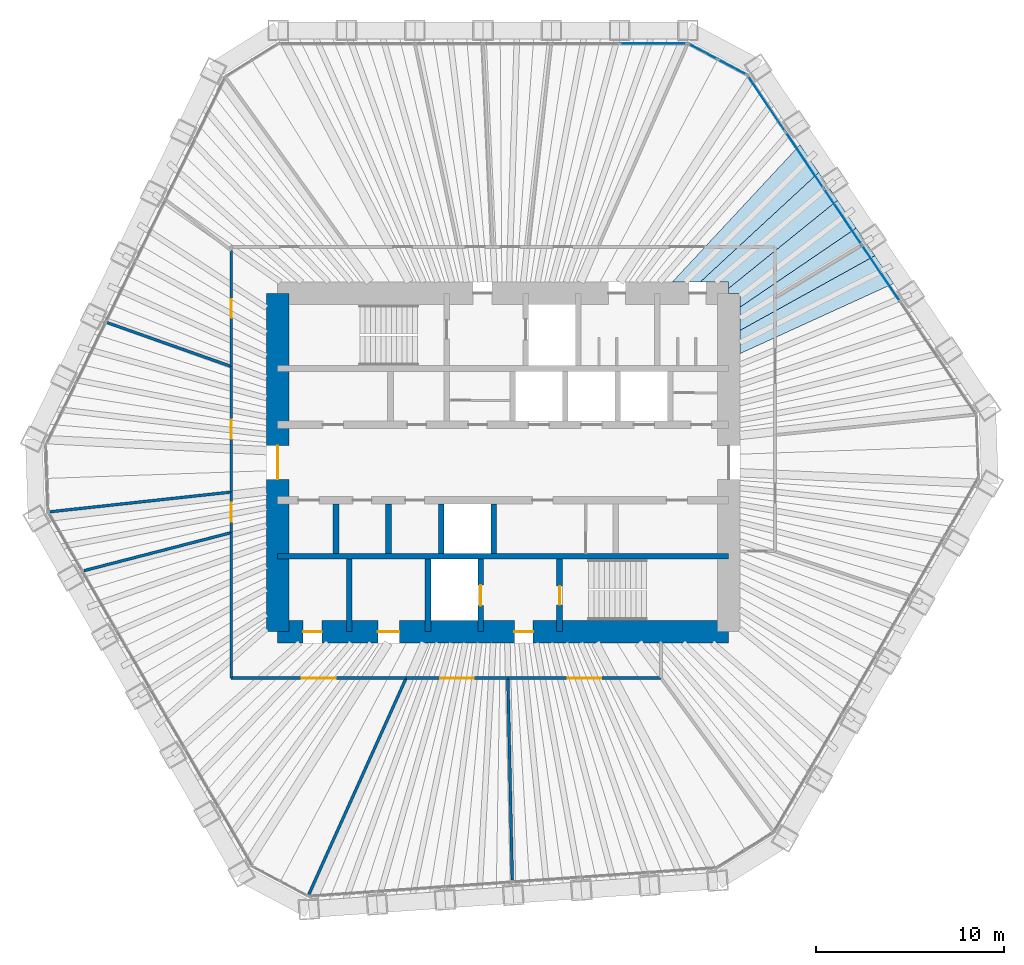
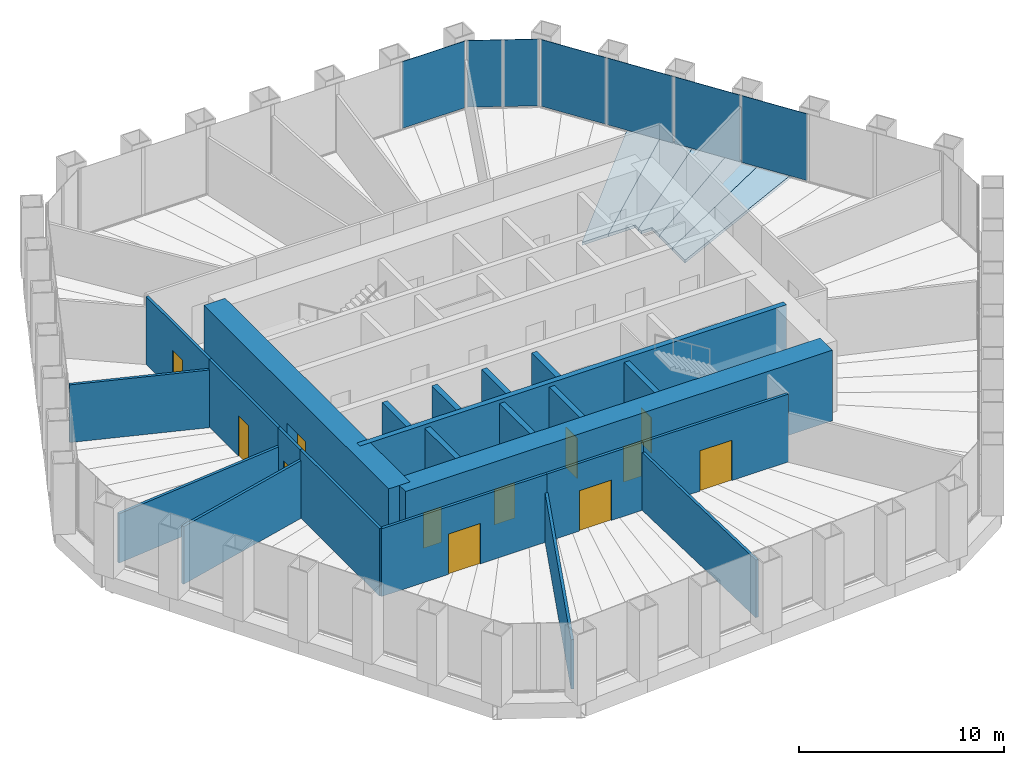
# One storey, part 10 of 14: 23 walls, 12 doors, 7 plates, 5 slabs, 12 openings, 3 elements without a shape of their own.
"""IFC4 building model written with IfcOpenShell, lengths in metres."""

from ifc_helpers import new_model, si_unit, direction, frame, frame_2d, origin, origin_2d, place, context, subcontext, project, spatial, polyline, rectangle, outline, extrude, material, layer, layer_set, type_object, element, fill, aggregate, save


model = new_model("IFC4")

# Units and contexts
model_context = context("Model", 3, precision=1e-05, world=origin(), true_north=direction((0.0, 1.0)))
body_context = subcontext(model_context, "Body", "Model", "MODEL_VIEW")
ifc_project = project(units=[si_unit("LENGTHUNIT", "METRE"), si_unit("AREAUNIT", "SQUARE_METRE"), si_unit("VOLUMEUNIT", "CUBIC_METRE"), si_unit("PLANEANGLEUNIT", "RADIAN"), si_unit("MASSUNIT", "GRAM", prefix="KILO")], contexts=[model_context])

# Site, building, storey
site_placement = place(None, origin())
site = spatial("IfcSite", under=ifc_project, at=site_placement, CompositionType="ELEMENT")
building_placement = place(site_placement, origin())
building = spatial("IfcBuilding", under=site, at=building_placement, Name="Qingtian Harvest Tower", CompositionType="ELEMENT")
storey_placement = place(building_placement, frame((0.0, 0.0, 201.39990234375)))
storey = spatial("IfcBuildingStorey", under=building, at=storey_placement, Name="L43", CompositionType="ELEMENT", Elevation=201.39990234375)

# Slabs
ifc_material_1 = material(Name="Concrete fc' 35 MPa", Category="concrete")
ifc_layer_1 = layer(ifc_material_1, 0.169921875)
ifc_layer_set_1 = layer_set([ifc_layer_1], Name="Composite floor slab FS17 170")
slab_type = type_object("IfcSlabType", Name="Composite floor slab FS17 170", PredefinedType="FLOOR", material=ifc_layer_set_1)
slab_1_placement = place(storey_placement, frame((0.0, 0.0, -0.169921875)))
element("IfcSlab", 1, at=slab_1_placement, inside=storey, type_object=slab_type, Name="Floor slab L43 panel D45", PredefinedType="FLOOR", context=body_context, shape_type="SweptSolid", body=[
    extrude(outline(polyline([(12.60009765625, 7.023681640625), (19.7841796875, 11.003662109375), (20.780517578125, 9.526611328125), (12.60009765625, 5.7900390625), (12.60009765625, 7.023681640625)])), origin(), (0.0, 0.0, 1.0), 0.169921875),
])
slab_2_placement = place(storey_placement, frame((0.0, 0.0, -0.169921875)))
element("IfcSlab", 2, at=slab_2_placement, inside=storey, type_object=slab_type, Name="Floor slab L43 panel D46", PredefinedType="FLOOR", context=body_context, shape_type="SweptSolid", body=[
    extrude(outline(polyline([(12.60009765625, 8.260498046875), (18.791259765625, 12.475830078125), (19.7841796875, 11.003662109375), (12.60009765625, 7.023681640625), (12.60009765625, 8.260498046875)])), origin(), (0.0, 0.0, 1.0), 0.169921875),
])
slab_3_placement = place(storey_placement, frame((0.0, 0.0, -0.169921875)))
element("IfcSlab", 3, at=slab_3_placement, inside=storey, type_object=slab_type, Name="Floor slab L43 panel D47", PredefinedType="FLOOR", context=body_context, shape_type="SweptSolid", body=[
    extrude(outline(polyline([(12.60009765625, 9.0), (12.0, 9.0), (12.0, 9.2666015625), (17.795654296875, 13.95166015625), (18.791259765625, 12.475830078125), (12.60009765625, 8.260498046875), (12.60009765625, 9.0)])), origin(), (0.0, 0.0, 1.0), 0.169921875),
])
slab_4_placement = place(storey_placement, frame((0.0, 0.0, -0.169921875)))
element("IfcSlab", 4, at=slab_4_placement, inside=storey, type_object=slab_type, Name="Floor slab L43 panel D48", PredefinedType="FLOOR", context=body_context, shape_type="SweptSolid", body=[
    extrude(outline(polyline([(12.0, 9.60009765625), (10.48583984375, 9.60009765625), (16.79638671875, 15.43310546875), (17.795654296875, 13.95166015625), (12.0, 9.2666015625), (12.0, 9.60009765625)])), origin(), (0.0, 0.0, 1.0), 0.169921875),
])
slab_5_placement = place(storey_placement, frame((0.0, 0.0, -0.169921875)))
element("IfcSlab", 5, at=slab_5_placement, inside=storey, type_object=slab_type, Name="Floor slab L43 panel D49", PredefinedType="FLOOR", context=body_context, shape_type="SweptSolid", body=[
    extrude(outline(polyline([(8.998291015625, 9.60009765625), (15.800048828125, 16.910400390625), (16.79638671875, 15.43310546875), (10.48583984375, 9.60009765625), (8.998291015625, 9.60009765625)])), origin(), (0.0, 0.0, 1.0), 0.169921875),
])

# Curtain wall, plate
ifc_material_2 = material(Name="Bronze-anodised aluminium curtain wall", Category="aluminium")
curtain_wall_type = type_object("IfcCurtainWallType", Name="Curtain wall CW4 office", PredefinedType="USERDEFINED", material=ifc_material_2)
curtain_wall_1_placement = place(storey_placement, origin())
curtain_wall_1 = element("IfcCurtainWall", 6, at=curtain_wall_1_placement, inside=storey, type_object=curtain_wall_type, Name="Curtain wall CW4 L43 N0-5", ObjectType="RECESSED CURTAIN WALL", PredefinedType="USERDEFINED")
ifc_material_3 = material(Name="Bronze-tinted laminated insulating glass", Category="glass")
ifc_layer_2 = layer(ifc_material_3, 0.030029296875)
ifc_layer_set_2 = layer_set([ifc_layer_2], Name="Glazed panel CWP tinted IGU")
plate_type = type_object("IfcPlateType", Name="Glazed panel CWP tinted IGU", PredefinedType="CURTAIN_PANEL", material=ifc_layer_set_2)
plate_1_placement = place(storey_placement, frame((7.996337890625, 22.300048828125, 0.06494140625), z_axis=(0.0, 0.0, 1.0), x_axis=(1.0, 0.0, 0.0)))
plate_1 = element("IfcPlate", 7, at=plate_1_placement, type_object=plate_type, Name="CW4 panel 6.1", PredefinedType="CURTAIN_PANEL", context=body_context, shape_type="SweptSolid", body=[
    extrude(rectangle(XDim=3.5361328125, YDim=0.030029296875, at=origin_2d()), origin(), (0.0, 0.0, 1.0), 3.965087890625),
])
aggregate(curtain_wall_1, [plate_1])

# Curtain wall, plates
curtain_wall_2_placement = place(storey_placement, origin())
curtain_wall_2 = element("IfcCurtainWall", 8, at=curtain_wall_2_placement, inside=storey, type_object=curtain_wall_type, Name="Curtain wall CW4 L43 NC", ObjectType="RECESSED CURTAIN WALL", PredefinedType="USERDEFINED")
plate_2_placement = place(storey_placement, frame((10.634033203125, 21.8720703125, 0.06494140625), z_axis=(0.0, 0.0, 1.0), x_axis=(0.882947592859, -0.469471562786, 0.0)))
plate_2 = element("IfcPlate", 9, at=plate_2_placement, type_object=plate_type, Name="CW4 panel 1.1", PredefinedType="CURTAIN_PANEL", context=body_context, shape_type="SweptSolid", body=[
    extrude(rectangle(XDim=1.69287109375, YDim=0.030029296875, at=origin_2d()), origin(), (0.0, 0.0, 1.0), 3.965087890625),
])
plate_3_placement = place(storey_placement, frame((12.186279296875, 21.046875, 0.06494140625), z_axis=(0.0, 0.0, 1.0), x_axis=(0.882947592859, -0.469471562786, 0.0)))
plate_3 = element("IfcPlate", 10, at=plate_3_placement, type_object=plate_type, Name="CW4 panel 2.1", PredefinedType="CURTAIN_PANEL", context=body_context, shape_type="SweptSolid", body=[
    extrude(rectangle(XDim=1.69287109375, YDim=0.030029296875, at=origin_2d()), origin(), (0.0, 0.0, 1.0), 3.965087890625),
])
aggregate(curtain_wall_2, [plate_2, plate_3])

curtain_wall_3_placement = place(storey_placement, origin())
curtain_wall_3 = element("IfcCurtainWall", 11, at=curtain_wall_3_placement, inside=storey, type_object=curtain_wall_type, Name="Curtain wall CW4 L43 NE0-5", ObjectType="RECESSED CURTAIN WALL", PredefinedType="USERDEFINED")
plate_4_placement = place(storey_placement, frame((14.01611328125, 19.09912109375, 0.06494140625), z_axis=(0.0, 0.0, 1.0), x_axis=(0.559192903471, -0.829037572555, 0.0)))
plate_4 = element("IfcPlate", 12, at=plate_4_placement, type_object=plate_type, Name="CW4 panel 1.1", PredefinedType="CURTAIN_PANEL", context=body_context, shape_type="SweptSolid", body=[
    extrude(rectangle(XDim=3.5361328125, YDim=0.030029296875, at=origin_2d()), origin(), (0.0, 0.0, 1.0), 3.965087890625),
])
plate_5_placement = place(storey_placement, frame((16.038818359375, 16.100341796875, 0.06494140625), z_axis=(0.0, 0.0, 1.0), x_axis=(0.559192903471, -0.829037572555, 0.0)))
plate_5 = element("IfcPlate", 13, at=plate_5_placement, type_object=plate_type, Name="CW4 panel 2.1", PredefinedType="CURTAIN_PANEL", context=body_context, shape_type="SweptSolid", body=[
    extrude(rectangle(XDim=3.568603515625, YDim=0.030029296875, at=origin_2d()), origin(), (0.0, 0.0, 1.0), 3.965087890625),
])
plate_6_placement = place(storey_placement, frame((18.07080078125, 13.087890625, 0.06494140625), z_axis=(0.0, 0.0, 1.0), x_axis=(0.559192903471, -0.829037572555, 0.0)))
plate_6 = element("IfcPlate", 14, at=plate_6_placement, type_object=plate_type, Name="CW4 panel 3.1", PredefinedType="CURTAIN_PANEL", context=body_context, shape_type="SweptSolid", body=[
    extrude(rectangle(XDim=3.568603515625, YDim=0.030029296875, at=origin_2d()), origin(), (0.0, 0.0, 1.0), 3.965087890625),
])
plate_7_placement = place(storey_placement, frame((20.1025390625, 10.07568359375, 0.06494140625), z_axis=(0.0, 0.0, 1.0), x_axis=(0.559192903471, -0.829037572555, 0.0)))
plate_7 = element("IfcPlate", 15, at=plate_7_placement, type_object=plate_type, Name="CW4 panel 4.1", PredefinedType="CURTAIN_PANEL", context=body_context, shape_type="SweptSolid", body=[
    extrude(rectangle(XDim=3.568603515625, YDim=0.030029296875, at=origin_2d()), origin(), (0.0, 0.0, 1.0), 3.965087890625),
])
aggregate(curtain_wall_3, [plate_4, plate_5, plate_6, plate_7])

# Walls
ifc_material_4 = material(Name="Concrete fc' 70 MPa", Category="concrete")
ifc_layer_3 = layer(ifc_material_4, 0.300048828125)
ifc_layer_set_3 = layer_set([ifc_layer_3], Name="Core inner wall RC5 300")
wall_type_1 = type_object("IfcWallType", Name="Core inner wall RC5 300", PredefinedType="SHEAR", material=ifc_layer_set_3)
wall_1_placement = place(storey_placement, frame((-12.0, -5.0, 0.0), z_axis=(0.0, 0.0, 1.0), x_axis=(1.0, 0.0, 0.0)))
element("IfcWall", 16, at=wall_1_placement, inside=storey, type_object=wall_type_1, Name="Core wall IS5 L43", PredefinedType="SHEAR", context=body_context, shape_type="SweptSolid", body=[
    extrude(rectangle(XDim=24.0, YDim=0.300048828125, at=frame_2d((12.0, 0.0))), origin(), (0.0, 0.0, 1.0), 4.2001953125),
])
ifc_material_5 = material(Name="Precast concrete shaft panel", Category="concrete")
ifc_layer_4 = layer(ifc_material_5, 0.300048828125)
ifc_layer_set_4 = layer_set([ifc_layer_4], Name="Core shaft partition SW1 300")
wall_type_2 = type_object("IfcWallType", Name="Core shaft partition SW1 300", PredefinedType="PARTITIONING", material=ifc_layer_set_4)
for number, where, z_axis, x_axis, name in (
    (17, (-8.89990234375, -4.85009765625, 0.0), (0.0, 0.0, 1.0), (0.0, 1.0, 0.0), "Core shaft partition XB1 L43"),
    (18, (-6.10009765625, -4.85009765625, 0.0), (0.0, 0.0, 1.0), (0.0, 1.0, 0.0), "Core shaft partition XB2 L43"),
    (19, (-3.300048828125, -4.85009765625, 0.0), (0.0, 0.0, 1.0), (0.0, 1.0, 0.0), "Core shaft partition XB3 L43"),
    (20, (-0.5, -4.85009765625, 0.0), (0.0, 0.0, 1.0), (0.0, 1.0, 0.0), "Core shaft partition XB4 L43"),
):
    element("IfcWall", number, at=place(storey_placement, frame(where, z_axis=z_axis, x_axis=x_axis)), inside=storey, type_object=wall_type_2, Name=name, PredefinedType="PARTITIONING", context=body_context, shape_type="SweptSolid", body=[
        extrude(rectangle(XDim=2.650146484375, YDim=0.300048828125, at=frame_2d((1.3251953125, 0.0))), origin(), (0.0, 0.0, 1.0), 3.97998046875),
    ])
for number, where, z_axis, x_axis, name in (
    (21, (-8.199951171875, -9.0, 0.0), (0.0, 0.0, 1.0), (0.0, 1.0, 0.0), "Core shaft partition XS1 L43"),
    (22, (-4.0, -9.0, 0.0), (0.0, 0.0, 1.0), (0.0, 1.0, 0.0), "Core shaft partition XS2 L43"),
):
    element("IfcWall", number, at=place(storey_placement, frame(where, z_axis=z_axis, x_axis=x_axis)), inside=storey, type_object=wall_type_2, Name=name, PredefinedType="PARTITIONING", context=body_context, shape_type="SweptSolid", body=[
        extrude(rectangle(XDim=3.85009765625, YDim=0.300048828125, at=frame_2d((1.925048828125, 0.0))), origin(), (0.0, 0.0, 1.0), 3.97998046875),
    ])

# Wall, opening, door
wall_2_placement = place(storey_placement, frame((-1.199951171875, -9.0, 0.0), z_axis=(0.0, 0.0, 1.0), x_axis=(0.0, 1.0, 0.0)))
wall_2 = element("IfcWall", 23, at=wall_2_placement, inside=storey, type_object=wall_type_2, Name="Core shaft partition XS3 L43", PredefinedType="PARTITIONING", context=body_context, shape_type="SweptSolid", body=[
    extrude(rectangle(XDim=3.85009765625, YDim=0.300048828125, at=frame_2d((1.925048828125, 0.0))), origin(), (0.0, 0.0, 1.0), 3.97998046875),
])
opening_1_placement = place(wall_2_placement, frame((1.375, 0.0, 0.0)))
opening_1 = element("IfcOpeningElement", 24, at=opening_1_placement, cuts=wall_2, Name="Opening LD1", PredefinedType="OPENING", context=body_context, shape_type="SweptSolid", body=[
    extrude(rectangle(XDim=1.10009765625, YDim=2.39990234375, at=frame_2d((0.550048828125, 1.199951171875))), frame((0.0, 0.159912109375, 0.0), z_axis=(0.0, -1.0, 0.0), x_axis=(1.0, 0.0, 0.0)), (0.0, 0.0, 1.0), 0.320068359375),
])
ifc_material_6 = material(Name="Stainless steel lift landing door", Category="steel")
door_type_1 = type_object("IfcDoorType", Name="Lift landing door LD1 1 HR", OperationType="DOUBLE_DOOR_SLIDING", PredefinedType="DOOR", material=ifc_material_6)
door_1_placement = place(opening_1_placement, origin())
door_1 = element("IfcDoor", 25, at=door_1_placement, inside=storey, type_object=door_type_1, Name="FL2 landing door L43", OperationType="DOUBLE_DOOR_SLIDING", OverallHeight=2.39990234375, OverallWidth=1.10009765625, PredefinedType="DOOR", context=body_context, shape_type="SweptSolid", body=[
    extrude(rectangle(XDim=1.10009765625, YDim=2.39990234375, at=frame_2d((0.550048828125, 1.199951171875))), frame((0.0, 0.02490234375, 0.0), z_axis=(0.0, -1.0, 0.0), x_axis=(1.0, 0.0, 0.0)), (0.0, 0.0, 1.0), 0.050048828125),
])
fill(opening_1, door_1)

wall_3_placement = place(storey_placement, frame((3.0, -9.0, 0.0), z_axis=(0.0, 0.0, 1.0), x_axis=(0.0, 1.0, 0.0)))
wall_3 = element("IfcWall", 26, at=wall_3_placement, inside=storey, type_object=wall_type_2, Name="Core shaft partition XS4 L43", PredefinedType="PARTITIONING", context=body_context, shape_type="SweptSolid", body=[
    extrude(rectangle(XDim=3.85009765625, YDim=0.300048828125, at=frame_2d((1.925048828125, 0.0))), origin(), (0.0, 0.0, 1.0), 3.97998046875),
])
opening_2_placement = place(wall_3_placement, frame((1.425048828125, 0.0, 0.0)))
opening_2 = element("IfcOpeningElement", 27, at=opening_2_placement, cuts=wall_3, Name="Opening FD1", PredefinedType="OPENING", context=body_context, shape_type="SweptSolid", body=[
    extrude(rectangle(XDim=1.0, YDim=2.10009765625, at=frame_2d((0.5, 1.050048828125))), frame((0.0, 0.159912109375, 0.0), z_axis=(0.0, -1.0, 0.0), x_axis=(1.0, 0.0, 0.0)), (0.0, 0.0, 1.0), 0.320068359375),
])
ifc_material_7 = material(Name="Steel-faced door leaf", Category="steel")
door_type_2 = type_object("IfcDoorType", Name="Fire door FD1 single 1 HR", OperationType="SINGLE_SWING_LEFT", PredefinedType="DOOR", material=ifc_material_7)
door_2_placement = place(opening_2_placement, origin())
door_2 = element("IfcDoor", 28, at=door_2_placement, inside=storey, type_object=door_type_2, Name="S2 door L43", OperationType="SINGLE_SWING_LEFT", OverallHeight=2.10009765625, OverallWidth=1.0, PredefinedType="DOOR", context=body_context, shape_type="SweptSolid", body=[
    extrude(rectangle(XDim=1.0, YDim=2.10009765625, at=frame_2d((0.5, 1.050048828125))), frame((0.0, 0.02490234375, 0.0), z_axis=(0.0, -1.0, 0.0), x_axis=(1.0, 0.0, 0.0)), (0.0, 0.0, 1.0), 0.050048828125),
])
fill(opening_2, door_2)

# Wall, openings, doors
ifc_material_8 = material(Name="Concrete fc' 70 MPa", Category="concrete")
ifc_layer_5 = layer(ifc_material_8, 1.199951171875)
ifc_layer_set_5 = layer_set([ifc_layer_5], Name="Core wall RC2 1200")
wall_type_3 = type_object("IfcWallType", Name="Core wall RC2 1200", PredefinedType="SHEAR", material=ifc_layer_set_5)
wall_4_placement = place(storey_placement, frame((-12.0, -9.0, 0.0), z_axis=(0.0, 0.0, 1.0), x_axis=(1.0, 0.0, 0.0)))
wall_4 = element("IfcWall", 29, at=wall_4_placement, inside=storey, type_object=wall_type_3, Name="Core wall CS L43", PredefinedType="SHEAR", context=body_context, shape_type="SweptSolid", body=[
    extrude(rectangle(XDim=24.0, YDim=1.199951171875, at=frame_2d((12.0, 0.0))), origin(), (0.0, 0.0, 1.0), 4.2001953125),
])
opening_3_placement = place(wall_4_placement, frame((1.35009765625, 0.0, 0.0)))
opening_3 = element("IfcOpeningElement", 30, at=opening_3_placement, cuts=wall_4, Name="Opening FD1", PredefinedType="OPENING", context=body_context, shape_type="SweptSolid", body=[
    extrude(rectangle(XDim=1.0, YDim=2.10009765625, at=frame_2d((0.5, 1.050048828125))), frame((0.0, 0.60986328125, 0.0), z_axis=(0.0, -1.0, 0.0), x_axis=(1.0, 0.0, 0.0)), (0.0, 0.0, 1.0), 1.219970703125),
])
opening_4_placement = place(wall_4_placement, frame((5.324951171875, 0.0, 0.0)))
opening_4 = element("IfcOpeningElement", 31, at=opening_4_placement, cuts=wall_4, Name="Opening AD1", PredefinedType="OPENING", context=body_context, shape_type="SweptSolid", body=[
    extrude(rectangle(XDim=1.14990234375, YDim=2.10009765625, at=frame_2d((0.574951171875, 1.050048828125))), frame((0.0, 0.60986328125, 0.0), z_axis=(0.0, -1.0, 0.0), x_axis=(1.0, 0.0, 0.0)), (0.0, 0.0, 1.0), 1.219970703125),
])
opening_5_placement = place(wall_4_placement, frame((12.60009765625, 0.0, 0.0)))
opening_5 = element("IfcOpeningElement", 32, at=opening_5_placement, cuts=wall_4, Name="Opening FD1", PredefinedType="OPENING", context=body_context, shape_type="SweptSolid", body=[
    extrude(rectangle(XDim=1.0, YDim=2.10009765625, at=frame_2d((0.5, 1.050048828125))), frame((0.0, 0.60986328125, 0.0), z_axis=(0.0, -1.0, 0.0), x_axis=(1.0, 0.0, 0.0)), (0.0, 0.0, 1.0), 1.219970703125),
])
ifc_material_9 = material(Name="Laminated timber door leaf", Category="wood")
door_type_3 = type_object("IfcDoorType", Name="Accessible WC door AD1 single", OperationType="SINGLE_SWING_LEFT", PredefinedType="DOOR", material=ifc_material_9)
door_3_placement = place(opening_4_placement, origin())
door_3 = element("IfcDoor", 33, at=door_3_placement, inside=storey, type_object=door_type_3, Name="AWC door L43", OperationType="SINGLE_SWING_LEFT", OverallHeight=2.10009765625, OverallWidth=1.14990234375, PredefinedType="DOOR", context=body_context, shape_type="SweptSolid", body=[
    extrude(rectangle(XDim=1.14990234375, YDim=2.10009765625, at=frame_2d((0.574951171875, 1.050048828125))), frame((0.0, 0.02490234375, 0.0), z_axis=(0.0, -1.0, 0.0), x_axis=(1.0, 0.0, 0.0)), (0.0, 0.0, 1.0), 0.050048828125),
])
fill(opening_4, door_3)
door_4_placement = place(opening_3_placement, origin())
door_4 = element("IfcDoor", 34, at=door_4_placement, inside=storey, type_object=door_type_2, Name="CLN door L43", OperationType="SINGLE_SWING_LEFT", OverallHeight=2.10009765625, OverallWidth=1.0, PredefinedType="DOOR", context=body_context, shape_type="SweptSolid", body=[
    extrude(rectangle(XDim=1.0, YDim=2.10009765625, at=frame_2d((0.5, 1.050048828125))), frame((0.0, 0.02490234375, 0.0), z_axis=(0.0, -1.0, 0.0), x_axis=(1.0, 0.0, 0.0)), (0.0, 0.0, 1.0), 0.050048828125),
])
fill(opening_3, door_4)
door_5_placement = place(opening_5_placement, origin())
door_5 = element("IfcDoor", 35, at=door_5_placement, inside=storey, type_object=door_type_2, Name="V2 door L43", OperationType="SINGLE_SWING_RIGHT", OverallHeight=2.10009765625, OverallWidth=1.0, PredefinedType="DOOR", context=body_context, shape_type="SweptSolid", body=[
    extrude(rectangle(XDim=1.0, YDim=2.10009765625, at=frame_2d((0.5, 1.050048828125))), frame((0.0, 0.02490234375, 0.0), z_axis=(0.0, -1.0, 0.0), x_axis=(1.0, 0.0, 0.0)), (0.0, 0.0, 1.0), 0.050048828125),
])
fill(opening_5, door_5)

# Wall, opening, door
wall_5_placement = place(storey_placement, frame((-12.0, -9.0, 0.0), z_axis=(0.0, 0.0, 1.0), x_axis=(0.0, 1.0, 0.0)))
wall_5 = element("IfcWall", 36, at=wall_5_placement, inside=storey, type_object=wall_type_3, Name="Core wall CW L43", PredefinedType="SHEAR", context=body_context, shape_type="SweptSolid", body=[
    extrude(rectangle(XDim=18.0, YDim=1.199951171875, at=frame_2d((9.0, 0.0))), origin(), (0.0, 0.0, 1.0), 4.2001953125),
])
opening_6_placement = place(wall_5_placement, frame((8.10009765625, 0.0, 0.0)))
opening_6 = element("IfcOpeningElement", 37, at=opening_6_placement, cuts=wall_5, Name="Opening FD2", PredefinedType="OPENING", context=body_context, shape_type="SweptSolid", body=[
    extrude(rectangle(XDim=1.800048828125, YDim=2.10009765625, at=frame_2d((0.89990234375, 1.050048828125))), frame((0.0, 0.60986328125, 0.0), z_axis=(0.0, -1.0, 0.0), x_axis=(1.0, 0.0, 0.0)), (0.0, 0.0, 1.0), 1.219970703125),
])
ifc_material_10 = material(Name="Steel-faced door leaf", Category="steel")
door_type_4 = type_object("IfcDoorType", Name="Fire door FD2 double 1 HR", OperationType="DOUBLE_DOOR_DOUBLE_SWING", PredefinedType="DOOR", material=ifc_material_10)
door_6_placement = place(opening_6_placement, origin())
door_6 = element("IfcDoor", 38, at=door_6_placement, inside=storey, type_object=door_type_4, Name="LOBBY-W door L43", OperationType="DOUBLE_DOOR_DOUBLE_SWING", OverallHeight=2.10009765625, OverallWidth=1.800048828125, PredefinedType="DOOR", context=body_context, shape_type="SweptSolid", body=[
    extrude(rectangle(XDim=1.800048828125, YDim=2.10009765625, at=frame_2d((0.89990234375, 1.050048828125))), frame((0.0, 0.02490234375, 0.0), z_axis=(0.0, -1.0, 0.0), x_axis=(1.0, 0.0, 0.0)), (0.0, 0.0, 1.0), 0.050048828125),
])
fill(opening_6, door_6)

ifc_material_11 = material(Name="Gypsum board on steel studs", Category="steel")
ifc_layer_6 = layer(ifc_material_11, 0.14990234375)
ifc_layer_set_6 = layer_set([ifc_layer_6], Name="Partition PT1 150")
wall_type_4 = type_object("IfcWallType", Name="Partition PT1 150", PredefinedType="PARTITIONING", material=ifc_layer_set_6)
wall_6_placement = place(storey_placement, frame((8.402587890625, -11.47509765625, 0.0), z_axis=(0.0, 0.0, 1.0), x_axis=(-1.0, 0.0, 0.0)))
wall_6 = element("IfcWall", 39, at=wall_6_placement, inside=storey, type_object=wall_type_4, Name="Meeting room wall L43", PredefinedType="PARTITIONING", context=body_context, shape_type="SweptSolid", body=[
    extrude(rectangle(XDim=8.15234375, YDim=0.14990234375, at=frame_2d((4.076171875, 0.0))), origin(), (0.0, 0.0, 1.0), 4.030029296875),
])
opening_7_placement = place(wall_6_placement, frame((3.176025390625, 0.0, 0.0)))
opening_7 = element("IfcOpeningElement", 40, at=opening_7_placement, cuts=wall_6, Name="Opening D3", PredefinedType="OPENING", context=body_context, shape_type="SweptSolid", body=[
    extrude(rectangle(XDim=1.800048828125, YDim=2.39990234375, at=frame_2d((0.89990234375, 1.199951171875))), frame((0.0, 0.0849609375, 0.0), z_axis=(0.0, -1.0, 0.0), x_axis=(1.0, 0.0, 0.0)), (0.0, 0.0, 1.0), 0.169921875),
])
ifc_material_12 = material(Name="Laminated timber door leaf", Category="wood")
door_type_5 = type_object("IfcDoorType", Name="Room door D3 double", OperationType="DOUBLE_DOOR_DOUBLE_SWING", PredefinedType="DOOR", material=ifc_material_12)
door_7_placement = place(opening_7_placement, origin())
door_7 = element("IfcDoor", 41, at=door_7_placement, inside=storey, type_object=door_type_5, Name="Meeting room door L43", OperationType="DOUBLE_DOOR_DOUBLE_SWING", OverallHeight=2.39990234375, OverallWidth=1.800048828125, PredefinedType="DOOR", context=body_context, shape_type="SweptSolid", body=[
    extrude(rectangle(XDim=1.800048828125, YDim=2.39990234375, at=frame_2d((0.89990234375, 1.199951171875))), frame((0.0, 0.02490234375, 0.0), z_axis=(0.0, -1.0, 0.0), x_axis=(1.0, 0.0, 0.0)), (0.0, 0.0, 1.0), 0.050048828125),
])
fill(opening_7, door_7)

# Wall
wall_7_placement = place(storey_placement, frame((0.484619140625, -22.220458984375, 0.0), z_axis=(0.0, 0.0, 1.0), x_axis=(-0.021806550804, 0.999762208899, 0.0)))
element("IfcWall", 42, at=wall_7_placement, inside=storey, type_object=wall_type_4, Name="Office suite wall L43", PredefinedType="PARTITIONING", context=body_context, shape_type="SweptSolid", body=[
    extrude(rectangle(XDim=10.747802734375, YDim=0.14990234375, at=frame_2d((5.3740234375, 0.0))), origin(), (0.0, 0.0, 1.0), 3.43017578125),
])

# Wall, opening, door
wall_8_placement = place(storey_placement, frame((0.250244140625, -11.47509765625, 0.0), z_axis=(0.0, 0.0, 1.0), x_axis=(-1.0, 0.0, 0.0)))
wall_8 = element("IfcWall", 43, at=wall_8_placement, inside=storey, type_object=wall_type_4, Name="Office suite wall L43", PredefinedType="PARTITIONING", context=body_context, shape_type="SweptSolid", body=[
    extrude(rectangle(XDim=5.41455078125, YDim=0.14990234375, at=frame_2d((2.707275390625, 0.0))), origin(), (0.0, 0.0, 1.0), 4.030029296875),
])
opening_8_placement = place(wall_8_placement, frame((1.80712890625, 0.0, 0.0)))
opening_8 = element("IfcOpeningElement", 44, at=opening_8_placement, cuts=wall_8, Name="Opening D3", PredefinedType="OPENING", context=body_context, shape_type="SweptSolid", body=[
    extrude(rectangle(XDim=1.800048828125, YDim=2.39990234375, at=frame_2d((0.89990234375, 1.199951171875))), frame((0.0, 0.0849609375, 0.0), z_axis=(0.0, -1.0, 0.0), x_axis=(1.0, 0.0, 0.0)), (0.0, 0.0, 1.0), 0.169921875),
])
door_8_placement = place(opening_8_placement, origin())
door_8 = element("IfcDoor", 45, at=door_8_placement, inside=storey, type_object=door_type_5, Name="Office suite door L43", OperationType="DOUBLE_DOOR_DOUBLE_SWING", OverallHeight=2.39990234375, OverallWidth=1.800048828125, PredefinedType="DOOR", context=body_context, shape_type="SweptSolid", body=[
    extrude(rectangle(XDim=1.800048828125, YDim=2.39990234375, at=frame_2d((0.89990234375, 1.199951171875))), frame((0.0, 0.02490234375, 0.0), z_axis=(0.0, -1.0, 0.0), x_axis=(1.0, 0.0, 0.0)), (0.0, 0.0, 1.0), 0.050048828125),
])
fill(opening_8, door_8)

# Wall
wall_9_placement = place(storey_placement, frame((-10.34619140625, -22.989501953125, 0.0), z_axis=(0.0, 0.0, 1.0), x_axis=(0.410391207886, 0.91190956596, 0.0)))
element("IfcWall", 46, at=wall_9_placement, inside=storey, type_object=wall_type_4, Name="Office suite wall L43", PredefinedType="PARTITIONING", context=body_context, shape_type="SweptSolid", body=[
    extrude(rectangle(XDim=12.626708984375, YDim=0.14990234375, at=frame_2d((6.3134765625, 0.0))), origin(), (0.0, 0.0, 1.0), 2.93017578125),
])

# Wall, opening, door
wall_10_placement = place(storey_placement, frame((-5.164306640625, -11.47509765625, 0.0), z_axis=(0.0, 0.0, 1.0), x_axis=(-1.0, 0.0, 0.0)))
wall_10 = element("IfcWall", 47, at=wall_10_placement, inside=storey, type_object=wall_type_4, Name="Office suite wall L43", PredefinedType="PARTITIONING", context=body_context, shape_type="SweptSolid", body=[
    extrude(rectangle(XDim=9.310791015625, YDim=0.14990234375, at=frame_2d((4.6552734375, 0.0))), origin(), (0.0, 0.0, 1.0), 4.030029296875),
])
opening_9_placement = place(wall_10_placement, frame((3.75537109375, 0.0, 0.0)))
opening_9 = element("IfcOpeningElement", 48, at=opening_9_placement, cuts=wall_10, Name="Opening D3", PredefinedType="OPENING", context=body_context, shape_type="SweptSolid", body=[
    extrude(rectangle(XDim=1.800048828125, YDim=2.39990234375, at=frame_2d((0.89990234375, 1.199951171875))), frame((0.0, 0.0849609375, 0.0), z_axis=(0.0, -1.0, 0.0), x_axis=(1.0, 0.0, 0.0)), (0.0, 0.0, 1.0), 0.169921875),
])
door_9_placement = place(opening_9_placement, origin())
door_9 = element("IfcDoor", 49, at=door_9_placement, inside=storey, type_object=door_type_5, Name="Office suite door L43", OperationType="DOUBLE_DOOR_DOUBLE_SWING", OverallHeight=2.39990234375, OverallWidth=1.800048828125, PredefinedType="DOOR", context=body_context, shape_type="SweptSolid", body=[
    extrude(rectangle(XDim=1.800048828125, YDim=2.39990234375, at=frame_2d((0.89990234375, 1.199951171875))), frame((0.0, 0.02490234375, 0.0), z_axis=(0.0, -1.0, 0.0), x_axis=(1.0, 0.0, 0.0)), (0.0, 0.0, 1.0), 0.050048828125),
])
fill(opening_9, door_9)

# Walls
wall_11_placement = place(storey_placement, frame((-14.47509765625, -11.47509765625, 0.0), z_axis=(0.0, 0.0, 1.0), x_axis=(0.0, 1.0, 0.0)))
element("IfcWall", 50, at=wall_11_placement, inside=storey, type_object=wall_type_4, Name="Office suite wall L43", PredefinedType="PARTITIONING", context=body_context, shape_type="SweptSolid", body=[
    extrude(rectangle(XDim=7.739013671875, YDim=0.14990234375, at=frame_2d((3.86962890625, 0.0))), origin(), (0.0, 0.0, 1.0), 4.030029296875),
])
wall_12_placement = place(storey_placement, frame((-22.3134765625, -5.75927734375, 0.0), z_axis=(0.0, 0.0, 1.0), x_axis=(0.968265788926, 0.249922712042, 0.0)))
element("IfcWall", 51, at=wall_12_placement, inside=storey, type_object=wall_type_4, Name="Focus room wall L43", PredefinedType="PARTITIONING", context=body_context, shape_type="SweptSolid", body=[
    extrude(rectangle(XDim=8.09521484375, YDim=0.14990234375, at=frame_2d((4.047607421875, 0.0))), origin(), (0.0, 0.0, 1.0), 3.43017578125),
])

# Wall, opening, door
wall_13_placement = place(storey_placement, frame((-14.47509765625, -3.736083984375, 0.0), z_axis=(0.0, 0.0, 1.0), x_axis=(0.0, 1.0, 0.0)))
wall_13 = element("IfcWall", 52, at=wall_13_placement, inside=storey, type_object=wall_type_4, Name="Focus room wall L43", PredefinedType="PARTITIONING", context=body_context, shape_type="SweptSolid", body=[
    extrude(rectangle(XDim=2.16015625, YDim=0.14990234375, at=frame_2d((1.080078125, 0.0))), origin(), (0.0, 0.0, 1.0), 4.030029296875),
])
opening_10_placement = place(wall_13_placement, frame((0.580078125, 0.0, 0.0)))
opening_10 = element("IfcOpeningElement", 53, at=opening_10_placement, cuts=wall_13, Name="Opening D2", PredefinedType="OPENING", context=body_context, shape_type="SweptSolid", body=[
    extrude(rectangle(XDim=1.0, YDim=2.39990234375, at=frame_2d((0.5, 1.199951171875))), frame((0.0, 0.0849609375, 0.0), z_axis=(0.0, -1.0, 0.0), x_axis=(1.0, 0.0, 0.0)), (0.0, 0.0, 1.0), 0.169921875),
])
ifc_material_13 = material(Name="Laminated timber door leaf", Category="wood")
door_type_6 = type_object("IfcDoorType", Name="Room door D2 single", OperationType="SINGLE_SWING_LEFT", PredefinedType="DOOR", material=ifc_material_13)
door_10_placement = place(opening_10_placement, origin())
door_10 = element("IfcDoor", 54, at=door_10_placement, inside=storey, type_object=door_type_6, Name="Focus room door L43", OperationType="SINGLE_SWING_RIGHT", OverallHeight=2.39990234375, OverallWidth=1.0, PredefinedType="DOOR", context=body_context, shape_type="SweptSolid", body=[
    extrude(rectangle(XDim=1.0, YDim=2.39990234375, at=frame_2d((0.5, 1.199951171875))), frame((0.0, 0.02490234375, 0.0), z_axis=(0.0, -1.0, 0.0), x_axis=(1.0, 0.0, 0.0)), (0.0, 0.0, 1.0), 0.050048828125),
])
fill(opening_10, door_10)

# Wall
wall_14_placement = place(storey_placement, frame((-24.127685546875, -2.626708984375, 0.0), z_axis=(0.0, 0.0, 1.0), x_axis=(0.994126892449, 0.108220708326, 0.0)))
element("IfcWall", 55, at=wall_14_placement, inside=storey, type_object=wall_type_4, Name="Pantry wall L43", PredefinedType="PARTITIONING", context=body_context, shape_type="SweptSolid", body=[
    extrude(rectangle(XDim=9.709716796875, YDim=0.14990234375, at=frame_2d((4.85498046875, 0.0))), origin(), (0.0, 0.0, 1.0), 2.93017578125),
])

# Wall, opening, door
wall_15_placement = place(storey_placement, frame((-14.47509765625, -1.575927734375, 0.0), z_axis=(0.0, 0.0, 1.0), x_axis=(0.0, 1.0, 0.0)))
wall_15 = element("IfcWall", 56, at=wall_15_placement, inside=storey, type_object=wall_type_4, Name="Pantry wall L43", PredefinedType="PARTITIONING", context=body_context, shape_type="SweptSolid", body=[
    extrude(rectangle(XDim=6.686279296875, YDim=0.14990234375, at=frame_2d((3.34326171875, 0.0))), origin(), (0.0, 0.0, 1.0), 4.030029296875),
])
opening_11_placement = place(wall_15_placement, frame((2.843017578125, 0.0, 0.0)))
opening_11 = element("IfcOpeningElement", 57, at=opening_11_placement, cuts=wall_15, Name="Opening D2", PredefinedType="OPENING", context=body_context, shape_type="SweptSolid", body=[
    extrude(rectangle(XDim=1.0, YDim=2.39990234375, at=frame_2d((0.5, 1.199951171875))), frame((0.0, 0.0849609375, 0.0), z_axis=(0.0, -1.0, 0.0), x_axis=(1.0, 0.0, 0.0)), (0.0, 0.0, 1.0), 0.169921875),
])
door_11_placement = place(opening_11_placement, origin())
door_11 = element("IfcDoor", 58, at=door_11_placement, inside=storey, type_object=door_type_6, Name="Pantry door L43", OperationType="SINGLE_SWING_RIGHT", OverallHeight=2.39990234375, OverallWidth=1.0, PredefinedType="DOOR", context=body_context, shape_type="SweptSolid", body=[
    extrude(rectangle(XDim=1.0, YDim=2.39990234375, at=frame_2d((0.5, 1.199951171875))), frame((0.0, 0.02490234375, 0.0), z_axis=(0.0, -1.0, 0.0), x_axis=(1.0, 0.0, 0.0)), (0.0, 0.0, 1.0), 0.050048828125),
])
fill(opening_11, door_11)

# Wall
wall_16_placement = place(storey_placement, frame((-21.072021484375, 7.439453125, 0.0), z_axis=(0.0, 0.0, 1.0), x_axis=(0.94295553867, -0.332918686907, 0.0)))
element("IfcWall", 59, at=wall_16_placement, inside=storey, type_object=wall_type_4, Name="Office suite wall L43", PredefinedType="PARTITIONING", context=body_context, shape_type="SweptSolid", body=[
    extrude(rectangle(XDim=6.99609375, YDim=0.14990234375, at=frame_2d((3.498046875, 0.0))), origin(), (0.0, 0.0, 1.0), 3.43017578125),
])

# Wall, opening, door
wall_17_placement = place(storey_placement, frame((-14.47509765625, 5.1103515625, 0.0), z_axis=(0.0, 0.0, 1.0), x_axis=(0.0, 1.0, 0.0)))
wall_17 = element("IfcWall", 60, at=wall_17_placement, inside=storey, type_object=wall_type_4, Name="Office suite wall L43", PredefinedType="PARTITIONING", context=body_context, shape_type="SweptSolid", body=[
    extrude(rectangle(XDim=6.16357421875, YDim=0.14990234375, at=frame_2d((3.081787109375, 0.0))), origin(), (0.0, 0.0, 1.0), 4.030029296875),
])
opening_12_placement = place(wall_17_placement, frame((2.581787109375, 0.0, 0.0)))
opening_12 = element("IfcOpeningElement", 61, at=opening_12_placement, cuts=wall_17, Name="Opening D2", PredefinedType="OPENING", context=body_context, shape_type="SweptSolid", body=[
    extrude(rectangle(XDim=1.0, YDim=2.39990234375, at=frame_2d((0.5, 1.199951171875))), frame((0.0, 0.0849609375, 0.0), z_axis=(0.0, -1.0, 0.0), x_axis=(1.0, 0.0, 0.0)), (0.0, 0.0, 1.0), 0.169921875),
])
door_12_placement = place(opening_12_placement, origin())
door_12 = element("IfcDoor", 62, at=door_12_placement, inside=storey, type_object=door_type_6, Name="Office suite door L43", OperationType="SINGLE_SWING_RIGHT", OverallHeight=2.39990234375, OverallWidth=1.0, PredefinedType="DOOR", context=body_context, shape_type="SweptSolid", body=[
    extrude(rectangle(XDim=1.0, YDim=2.39990234375, at=frame_2d((0.5, 1.199951171875))), frame((0.0, 0.02490234375, 0.0), z_axis=(0.0, -1.0, 0.0), x_axis=(1.0, 0.0, 0.0)), (0.0, 0.0, 1.0), 0.050048828125),
])
fill(opening_12, door_12)

save(model, "model.ifc")
